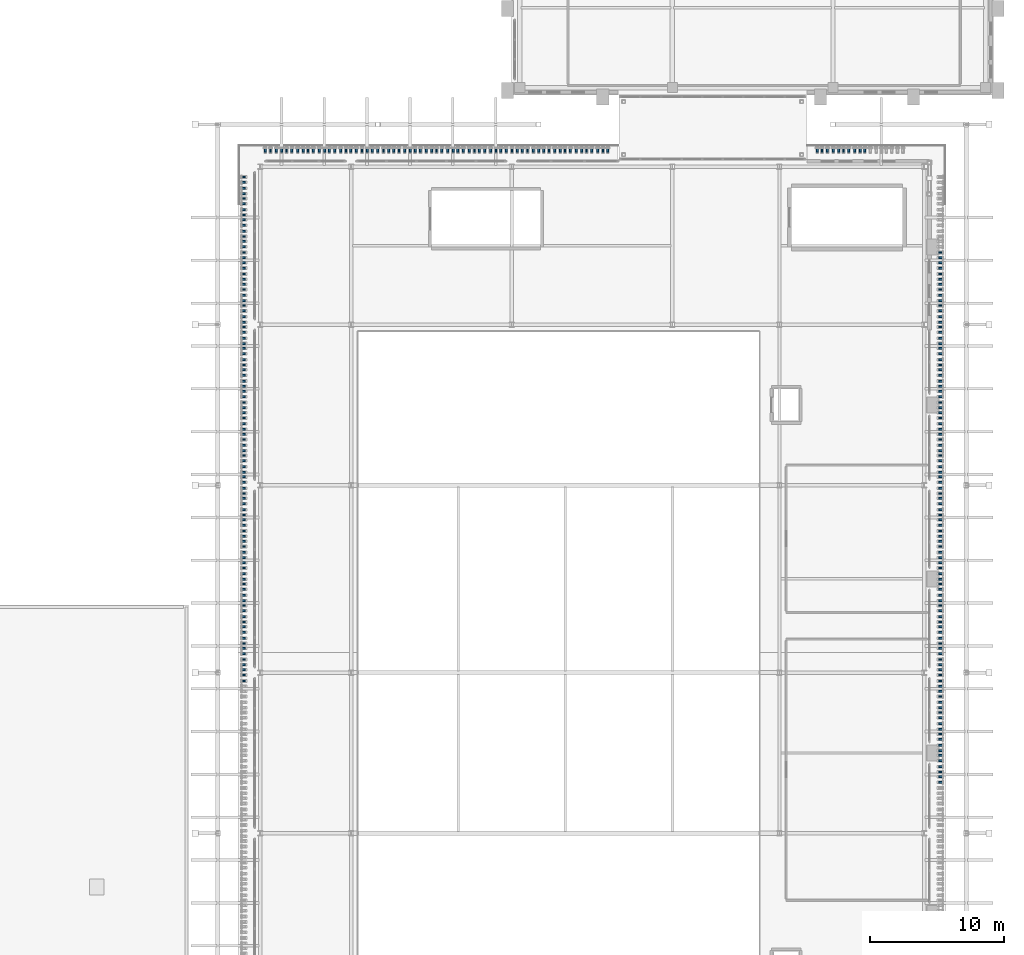
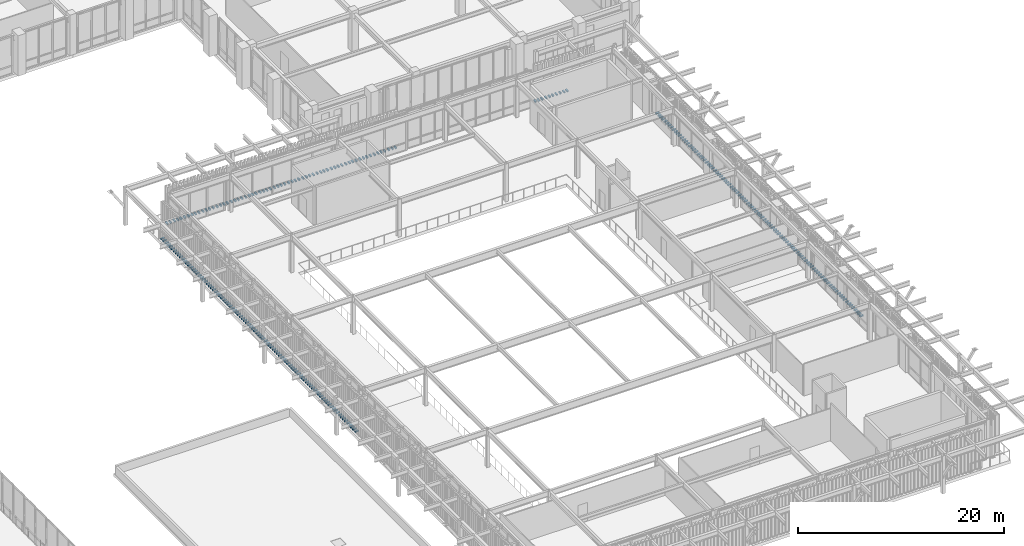
# One storey, part 107 of 126: 270 discrete accessories.
"""IFC4 building model written with IfcOpenShell, lengths in metres."""

from ifc_helpers import new_model, si_unit, derived_unit, direction, frame, origin, origin_2d, place, context, subcontext, project, spatial, rectangle, extrude, material, layer, layer_set, type_object, element, save


model = new_model("IFC4")

# Units and contexts
model_context = context("Model", 3, precision=1e-05, world=origin(), true_north=direction((0.0, 1.0)))
body_context = subcontext(model_context, "Body", "Model", "MODEL_VIEW")
ifc_project = project(units=[si_unit("LENGTHUNIT", "METRE"), si_unit("AREAUNIT", "SQUARE_METRE"), si_unit("VOLUMEUNIT", "CUBIC_METRE"), si_unit("PLANEANGLEUNIT", "RADIAN"), si_unit("MASSUNIT", "GRAM", prefix="KILO"), derived_unit("THERMALTRANSMITTANCEUNIT", [(si_unit("MASSUNIT", "GRAM", prefix="KILO"), 1), (si_unit("TIMEUNIT", "SECOND"), -3), (si_unit("THERMODYNAMICTEMPERATUREUNIT", "KELVIN"), -1)])], contexts=[model_context])

# Site, building, storey
site_placement = place(None, origin())
site = spatial("IfcSite", under=ifc_project, at=site_placement, CompositionType="ELEMENT")
building_placement = place(site_placement, origin())
building = spatial("IfcBuilding", under=site, at=building_placement, Name="Valcora Ridge Arena", CompositionType="ELEMENT")
storey_placement = place(building_placement, frame((0.0, 0.0, 11.39990234375)))
storey = spatial("IfcBuildingStorey", under=building, at=storey_placement, Name="L02", CompositionType="ELEMENT", Elevation=11.39990234375)

# Discrete accessories
ifc_material = material(Name="Austenitic stainless steel Grade 316 fixing bracket", Category="steel")
ifc_layer = layer(ifc_material, 0.139892578125, Name="Austenitic stainless steel Grade 316 fixing bracket")
ifc_layer_set = layer_set([ifc_layer], Name="Austenitic stainless steel Grade 316 fixing bracket")
discrete_accessory_type = type_object("IfcDiscreteAccessoryType", Name="TY-DISCRETEACCESSORY-BRK-FIN-SS", PredefinedType="BRACKET", material=ifc_layer_set)
for number, where, z_axis, x_axis, name in (
    (1, (188.070068359375, 31.820068359375, 0.0), (0.0, 0.0, 1.0), (1.0, 0.0, 0.0), "BRK-FIN-SS ACC-BK-0134"),
    (2, (188.070068359375, 32.219970703125, 0.0), (0.0, 0.0, 1.0), (1.0, 0.0, 0.0), "BRK-FIN-SS ACC-BK-0136"),
    (3, (188.070068359375, 32.580078125, 0.0), (0.0, 0.0, 1.0), (1.0, 0.0, 0.0), "BRK-FIN-SS ACC-BK-0138"),
    (4, (188.070068359375, 32.97998046875, 0.0), (0.0, 0.0, 1.0), (1.0, 0.0, 0.0), "BRK-FIN-SS ACC-BK-0140"),
    (5, (188.070068359375, 33.419921875, 0.0), (0.0, 0.0, 1.0), (1.0, 0.0, 0.0), "BRK-FIN-SS ACC-BK-0142"),
    (6, (188.070068359375, 33.820068359375, 0.0), (0.0, 0.0, 1.0), (1.0, 0.0, 0.0), "BRK-FIN-SS ACC-BK-0144"),
    (7, (188.070068359375, 34.179931640625, 0.0), (0.0, 0.0, 1.0), (1.0, 0.0, 0.0), "BRK-FIN-SS ACC-BK-0146"),
    (8, (188.070068359375, 34.580078125, 0.0), (0.0, 0.0, 1.0), (1.0, 0.0, 0.0), "BRK-FIN-SS ACC-BK-0148"),
    (9, (188.070068359375, 35.02001953125, 0.0), (0.0, 0.0, 1.0), (1.0, 0.0, 0.0), "BRK-FIN-SS ACC-BK-0150"),
    (10, (188.070068359375, 35.419921875, 0.0), (0.0, 0.0, 1.0), (1.0, 0.0, 0.0), "BRK-FIN-SS ACC-BK-0152"),
    (11, (188.070068359375, 35.780029296875, 0.0), (0.0, 0.0, 1.0), (1.0, 0.0, 0.0), "BRK-FIN-SS ACC-BK-0154"),
    (12, (188.070068359375, 36.179931640625, 0.0), (0.0, 0.0, 1.0), (1.0, 0.0, 0.0), "BRK-FIN-SS ACC-BK-0156"),
    (13, (188.070068359375, 36.6201171875, 0.0), (0.0, 0.0, 1.0), (1.0, 0.0, 0.0), "BRK-FIN-SS ACC-BK-0158"),
    (14, (188.070068359375, 37.02001953125, 0.0), (0.0, 0.0, 1.0), (1.0, 0.0, 0.0), "BRK-FIN-SS ACC-BK-0160"),
    (15, (188.070068359375, 37.3798828125, 0.0), (0.0, 0.0, 1.0), (1.0, 0.0, 0.0), "BRK-FIN-SS ACC-BK-0162"),
    (16, (188.070068359375, 37.780029296875, 0.0), (0.0, 0.0, 1.0), (1.0, 0.0, 0.0), "BRK-FIN-SS ACC-BK-0164"),
    (17, (188.070068359375, 38.219970703125, 0.0), (0.0, 0.0, 1.0), (1.0, 0.0, 0.0), "BRK-FIN-SS ACC-BK-0166"),
    (18, (188.070068359375, 38.6201171875, 0.0), (0.0, 0.0, 1.0), (1.0, 0.0, 0.0), "BRK-FIN-SS ACC-BK-0168"),
    (19, (188.070068359375, 38.97998046875, 0.0), (0.0, 0.0, 1.0), (1.0, 0.0, 0.0), "BRK-FIN-SS ACC-BK-0170"),
    (20, (135.929931640625, 39.3798828125, 0.0), (0.0, 0.0, 1.0), (1.0, 0.0, 0.0), "BRK-FIN-SS ACC-BK-0171"),
    (21, (188.070068359375, 39.3798828125, 0.0), (0.0, 0.0, 1.0), (1.0, 0.0, 0.0), "BRK-FIN-SS ACC-BK-0172"),
    (22, (135.929931640625, 39.820068359375, 0.0), (0.0, 0.0, 1.0), (1.0, 0.0, 0.0), "BRK-FIN-SS ACC-BK-0173"),
    (23, (188.070068359375, 39.820068359375, 0.0), (0.0, 0.0, 1.0), (1.0, 0.0, 0.0), "BRK-FIN-SS ACC-BK-0174"),
    (24, (135.929931640625, 40.219970703125, 0.0), (0.0, 0.0, 1.0), (1.0, 0.0, 0.0), "BRK-FIN-SS ACC-BK-0175"),
    (25, (188.070068359375, 40.219970703125, 0.0), (0.0, 0.0, 1.0), (1.0, 0.0, 0.0), "BRK-FIN-SS ACC-BK-0176"),
    (26, (135.929931640625, 40.580078125, 0.0), (0.0, 0.0, 1.0), (1.0, 0.0, 0.0), "BRK-FIN-SS ACC-BK-0177"),
    (27, (188.070068359375, 40.580078125, 0.0), (0.0, 0.0, 1.0), (1.0, 0.0, 0.0), "BRK-FIN-SS ACC-BK-0178"),
    (28, (135.929931640625, 40.97998046875, 0.0), (0.0, 0.0, 1.0), (1.0, 0.0, 0.0), "BRK-FIN-SS ACC-BK-0179"),
    (29, (188.070068359375, 40.97998046875, 0.0), (0.0, 0.0, 1.0), (1.0, 0.0, 0.0), "BRK-FIN-SS ACC-BK-0180"),
    (30, (135.929931640625, 41.419921875, 0.0), (0.0, 0.0, 1.0), (1.0, 0.0, 0.0), "BRK-FIN-SS ACC-BK-0181"),
    (31, (188.070068359375, 41.419921875, 0.0), (0.0, 0.0, 1.0), (1.0, 0.0, 0.0), "BRK-FIN-SS ACC-BK-0182"),
    (32, (135.929931640625, 41.820068359375, 0.0), (0.0, 0.0, 1.0), (1.0, 0.0, 0.0), "BRK-FIN-SS ACC-BK-0183"),
    (33, (188.070068359375, 41.820068359375, 0.0), (0.0, 0.0, 1.0), (1.0, 0.0, 0.0), "BRK-FIN-SS ACC-BK-0184"),
    (34, (135.929931640625, 42.179931640625, 0.0), (0.0, 0.0, 1.0), (1.0, 0.0, 0.0), "BRK-FIN-SS ACC-BK-0185"),
    (35, (188.070068359375, 42.179931640625, 0.0), (0.0, 0.0, 1.0), (1.0, 0.0, 0.0), "BRK-FIN-SS ACC-BK-0186"),
    (36, (135.929931640625, 42.580078125, 0.0), (0.0, 0.0, 1.0), (1.0, 0.0, 0.0), "BRK-FIN-SS ACC-BK-0187"),
    (37, (188.070068359375, 42.580078125, 0.0), (0.0, 0.0, 1.0), (1.0, 0.0, 0.0), "BRK-FIN-SS ACC-BK-0188"),
    (38, (135.929931640625, 43.02001953125, 0.0), (0.0, 0.0, 1.0), (1.0, 0.0, 0.0), "BRK-FIN-SS ACC-BK-0189"),
    (39, (188.070068359375, 43.02001953125, 0.0), (0.0, 0.0, 1.0), (1.0, 0.0, 0.0), "BRK-FIN-SS ACC-BK-0190"),
    (40, (135.929931640625, 43.419921875, 0.0), (0.0, 0.0, 1.0), (1.0, 0.0, 0.0), "BRK-FIN-SS ACC-BK-0191"),
    (41, (188.070068359375, 43.419921875, 0.0), (0.0, 0.0, 1.0), (1.0, 0.0, 0.0), "BRK-FIN-SS ACC-BK-0192"),
    (42, (135.929931640625, 43.780029296875, 0.0), (0.0, 0.0, 1.0), (1.0, 0.0, 0.0), "BRK-FIN-SS ACC-BK-0193"),
    (43, (188.070068359375, 43.780029296875, 0.0), (0.0, 0.0, 1.0), (1.0, 0.0, 0.0), "BRK-FIN-SS ACC-BK-0194"),
    (44, (135.929931640625, 44.179931640625, 0.0), (0.0, 0.0, 1.0), (1.0, 0.0, 0.0), "BRK-FIN-SS ACC-BK-0195"),
    (45, (188.070068359375, 44.179931640625, 0.0), (0.0, 0.0, 1.0), (1.0, 0.0, 0.0), "BRK-FIN-SS ACC-BK-0196"),
    (46, (135.929931640625, 44.6201171875, 0.0), (0.0, 0.0, 1.0), (1.0, 0.0, 0.0), "BRK-FIN-SS ACC-BK-0197"),
    (47, (188.070068359375, 44.6201171875, 0.0), (0.0, 0.0, 1.0), (1.0, 0.0, 0.0), "BRK-FIN-SS ACC-BK-0198"),
    (48, (135.929931640625, 45.02001953125, 0.0), (0.0, 0.0, 1.0), (1.0, 0.0, 0.0), "BRK-FIN-SS ACC-BK-0199"),
    (49, (188.070068359375, 45.02001953125, 0.0), (0.0, 0.0, 1.0), (1.0, 0.0, 0.0), "BRK-FIN-SS ACC-BK-0200"),
    (50, (135.929931640625, 45.3798828125, 0.0), (0.0, 0.0, 1.0), (1.0, 0.0, 0.0), "BRK-FIN-SS ACC-BK-0201"),
    (51, (188.070068359375, 45.3798828125, 0.0), (0.0, 0.0, 1.0), (1.0, 0.0, 0.0), "BRK-FIN-SS ACC-BK-0202"),
    (52, (135.929931640625, 45.780029296875, 0.0), (0.0, 0.0, 1.0), (1.0, 0.0, 0.0), "BRK-FIN-SS ACC-BK-0203"),
    (53, (188.070068359375, 45.780029296875, 0.0), (0.0, 0.0, 1.0), (1.0, 0.0, 0.0), "BRK-FIN-SS ACC-BK-0204"),
    (54, (135.929931640625, 46.219970703125, 0.0), (0.0, 0.0, 1.0), (1.0, 0.0, 0.0), "BRK-FIN-SS ACC-BK-0205"),
    (55, (188.070068359375, 46.219970703125, 0.0), (0.0, 0.0, 1.0), (1.0, 0.0, 0.0), "BRK-FIN-SS ACC-BK-0206"),
    (56, (135.929931640625, 46.6201171875, 0.0), (0.0, 0.0, 1.0), (1.0, 0.0, 0.0), "BRK-FIN-SS ACC-BK-0207"),
    (57, (188.070068359375, 46.6201171875, 0.0), (0.0, 0.0, 1.0), (1.0, 0.0, 0.0), "BRK-FIN-SS ACC-BK-0208"),
    (58, (135.929931640625, 46.97998046875, 0.0), (0.0, 0.0, 1.0), (1.0, 0.0, 0.0), "BRK-FIN-SS ACC-BK-0209"),
    (59, (188.070068359375, 46.97998046875, 0.0), (0.0, 0.0, 1.0), (1.0, 0.0, 0.0), "BRK-FIN-SS ACC-BK-0210"),
    (60, (135.929931640625, 47.3798828125, 0.0), (0.0, 0.0, 1.0), (1.0, 0.0, 0.0), "BRK-FIN-SS ACC-BK-0211"),
    (61, (188.070068359375, 47.3798828125, 0.0), (0.0, 0.0, 1.0), (1.0, 0.0, 0.0), "BRK-FIN-SS ACC-BK-0212"),
    (62, (135.929931640625, 47.820068359375, 0.0), (0.0, 0.0, 1.0), (1.0, 0.0, 0.0), "BRK-FIN-SS ACC-BK-0213"),
    (63, (188.070068359375, 47.820068359375, 0.0), (0.0, 0.0, 1.0), (1.0, 0.0, 0.0), "BRK-FIN-SS ACC-BK-0214"),
    (64, (135.929931640625, 48.219970703125, 0.0), (0.0, 0.0, 1.0), (1.0, 0.0, 0.0), "BRK-FIN-SS ACC-BK-0215"),
    (65, (188.070068359375, 48.219970703125, 0.0), (0.0, 0.0, 1.0), (1.0, 0.0, 0.0), "BRK-FIN-SS ACC-BK-0216"),
    (66, (135.929931640625, 48.580078125, 0.0), (0.0, 0.0, 1.0), (1.0, 0.0, 0.0), "BRK-FIN-SS ACC-BK-0217"),
    (67, (188.070068359375, 48.580078125, 0.0), (0.0, 0.0, 1.0), (1.0, 0.0, 0.0), "BRK-FIN-SS ACC-BK-0218"),
    (68, (135.929931640625, 48.97998046875, 0.0), (0.0, 0.0, 1.0), (1.0, 0.0, 0.0), "BRK-FIN-SS ACC-BK-0219"),
    (69, (188.070068359375, 48.97998046875, 0.0), (0.0, 0.0, 1.0), (1.0, 0.0, 0.0), "BRK-FIN-SS ACC-BK-0220"),
    (70, (135.929931640625, 49.419921875, 0.0), (0.0, 0.0, 1.0), (1.0, 0.0, 0.0), "BRK-FIN-SS ACC-BK-0221"),
    (71, (188.070068359375, 49.419921875, 0.0), (0.0, 0.0, 1.0), (1.0, 0.0, 0.0), "BRK-FIN-SS ACC-BK-0222"),
    (72, (135.929931640625, 49.820068359375, 0.0), (0.0, 0.0, 1.0), (1.0, 0.0, 0.0), "BRK-FIN-SS ACC-BK-0223"),
    (73, (188.070068359375, 49.820068359375, 0.0), (0.0, 0.0, 1.0), (1.0, 0.0, 0.0), "BRK-FIN-SS ACC-BK-0224"),
    (74, (135.929931640625, 50.179931640625, 0.0), (0.0, 0.0, 1.0), (1.0, 0.0, 0.0), "BRK-FIN-SS ACC-BK-0225"),
    (75, (188.070068359375, 50.179931640625, 0.0), (0.0, 0.0, 1.0), (1.0, 0.0, 0.0), "BRK-FIN-SS ACC-BK-0226"),
    (76, (135.929931640625, 50.580078125, 0.0), (0.0, 0.0, 1.0), (1.0, 0.0, 0.0), "BRK-FIN-SS ACC-BK-0227"),
    (77, (188.070068359375, 50.580078125, 0.0), (0.0, 0.0, 1.0), (1.0, 0.0, 0.0), "BRK-FIN-SS ACC-BK-0228"),
    (78, (135.929931640625, 51.02001953125, 0.0), (0.0, 0.0, 1.0), (1.0, 0.0, 0.0), "BRK-FIN-SS ACC-BK-0229"),
    (79, (188.070068359375, 51.02001953125, 0.0), (0.0, 0.0, 1.0), (1.0, 0.0, 0.0), "BRK-FIN-SS ACC-BK-0230"),
    (80, (135.929931640625, 51.419921875, 0.0), (0.0, 0.0, 1.0), (1.0, 0.0, 0.0), "BRK-FIN-SS ACC-BK-0231"),
    (81, (188.070068359375, 51.419921875, 0.0), (0.0, 0.0, 1.0), (1.0, 0.0, 0.0), "BRK-FIN-SS ACC-BK-0232"),
    (82, (135.929931640625, 51.780029296875, 0.0), (0.0, 0.0, 1.0), (1.0, 0.0, 0.0), "BRK-FIN-SS ACC-BK-0233"),
    (83, (188.070068359375, 51.780029296875, 0.0), (0.0, 0.0, 1.0), (1.0, 0.0, 0.0), "BRK-FIN-SS ACC-BK-0234"),
    (84, (135.929931640625, 52.179931640625, 0.0), (0.0, 0.0, 1.0), (1.0, 0.0, 0.0), "BRK-FIN-SS ACC-BK-0235"),
    (85, (188.070068359375, 52.179931640625, 0.0), (0.0, 0.0, 1.0), (1.0, 0.0, 0.0), "BRK-FIN-SS ACC-BK-0236"),
    (86, (135.929931640625, 52.6201171875, 0.0), (0.0, 0.0, 1.0), (1.0, 0.0, 0.0), "BRK-FIN-SS ACC-BK-0237"),
    (87, (188.070068359375, 52.6201171875, 0.0), (0.0, 0.0, 1.0), (1.0, 0.0, 0.0), "BRK-FIN-SS ACC-BK-0238"),
    (88, (135.929931640625, 53.02001953125, 0.0), (0.0, 0.0, 1.0), (1.0, 0.0, 0.0), "BRK-FIN-SS ACC-BK-0239"),
    (89, (188.070068359375, 53.02001953125, 0.0), (0.0, 0.0, 1.0), (1.0, 0.0, 0.0), "BRK-FIN-SS ACC-BK-0240"),
    (90, (135.929931640625, 53.3798828125, 0.0), (0.0, 0.0, 1.0), (1.0, 0.0, 0.0), "BRK-FIN-SS ACC-BK-0241"),
    (91, (188.070068359375, 53.3798828125, 0.0), (0.0, 0.0, 1.0), (1.0, 0.0, 0.0), "BRK-FIN-SS ACC-BK-0242"),
    (92, (135.929931640625, 53.780029296875, 0.0), (0.0, 0.0, 1.0), (1.0, 0.0, 0.0), "BRK-FIN-SS ACC-BK-0243"),
    (93, (188.070068359375, 53.780029296875, 0.0), (0.0, 0.0, 1.0), (1.0, 0.0, 0.0), "BRK-FIN-SS ACC-BK-0244"),
    (94, (135.929931640625, 54.219970703125, 0.0), (0.0, 0.0, 1.0), (1.0, 0.0, 0.0), "BRK-FIN-SS ACC-BK-0245"),
    (95, (188.070068359375, 54.219970703125, 0.0), (0.0, 0.0, 1.0), (1.0, 0.0, 0.0), "BRK-FIN-SS ACC-BK-0246"),
    (96, (135.929931640625, 54.6201171875, 0.0), (0.0, 0.0, 1.0), (1.0, 0.0, 0.0), "BRK-FIN-SS ACC-BK-0247"),
    (97, (188.070068359375, 54.6201171875, 0.0), (0.0, 0.0, 1.0), (1.0, 0.0, 0.0), "BRK-FIN-SS ACC-BK-0248"),
    (98, (135.929931640625, 54.97998046875, 0.0), (0.0, 0.0, 1.0), (1.0, 0.0, 0.0), "BRK-FIN-SS ACC-BK-0249"),
    (99, (188.070068359375, 54.97998046875, 0.0), (0.0, 0.0, 1.0), (1.0, 0.0, 0.0), "BRK-FIN-SS ACC-BK-0250"),
    (100, (135.929931640625, 55.3798828125, 0.0), (0.0, 0.0, 1.0), (1.0, 0.0, 0.0), "BRK-FIN-SS ACC-BK-0251"),
    (101, (188.070068359375, 55.3798828125, 0.0), (0.0, 0.0, 1.0), (1.0, 0.0, 0.0), "BRK-FIN-SS ACC-BK-0252"),
    (102, (135.929931640625, 55.820068359375, 0.0), (0.0, 0.0, 1.0), (1.0, 0.0, 0.0), "BRK-FIN-SS ACC-BK-0253"),
    (103, (188.070068359375, 55.820068359375, 0.0), (0.0, 0.0, 1.0), (1.0, 0.0, 0.0), "BRK-FIN-SS ACC-BK-0254"),
    (104, (135.929931640625, 56.219970703125, 0.0), (0.0, 0.0, 1.0), (1.0, 0.0, 0.0), "BRK-FIN-SS ACC-BK-0255"),
    (105, (188.070068359375, 56.219970703125, 0.0), (0.0, 0.0, 1.0), (1.0, 0.0, 0.0), "BRK-FIN-SS ACC-BK-0256"),
    (106, (135.929931640625, 56.580078125, 0.0), (0.0, 0.0, 1.0), (1.0, 0.0, 0.0), "BRK-FIN-SS ACC-BK-0257"),
    (107, (188.070068359375, 56.580078125, 0.0), (0.0, 0.0, 1.0), (1.0, 0.0, 0.0), "BRK-FIN-SS ACC-BK-0258"),
    (108, (135.929931640625, 56.97998046875, 0.0), (0.0, 0.0, 1.0), (1.0, 0.0, 0.0), "BRK-FIN-SS ACC-BK-0259"),
    (109, (188.070068359375, 56.97998046875, 0.0), (0.0, 0.0, 1.0), (1.0, 0.0, 0.0), "BRK-FIN-SS ACC-BK-0260"),
    (110, (135.929931640625, 57.419921875, 0.0), (0.0, 0.0, 1.0), (1.0, 0.0, 0.0), "BRK-FIN-SS ACC-BK-0261"),
    (111, (188.070068359375, 57.419921875, 0.0), (0.0, 0.0, 1.0), (1.0, 0.0, 0.0), "BRK-FIN-SS ACC-BK-0262"),
    (112, (135.929931640625, 57.820068359375, 0.0), (0.0, 0.0, 1.0), (1.0, 0.0, 0.0), "BRK-FIN-SS ACC-BK-0263"),
    (113, (188.070068359375, 57.820068359375, 0.0), (0.0, 0.0, 1.0), (1.0, 0.0, 0.0), "BRK-FIN-SS ACC-BK-0264"),
    (114, (135.929931640625, 58.179931640625, 0.0), (0.0, 0.0, 1.0), (1.0, 0.0, 0.0), "BRK-FIN-SS ACC-BK-0265"),
    (115, (188.070068359375, 58.179931640625, 0.0), (0.0, 0.0, 1.0), (1.0, 0.0, 0.0), "BRK-FIN-SS ACC-BK-0266"),
    (116, (135.929931640625, 58.580078125, 0.0), (0.0, 0.0, 1.0), (1.0, 0.0, 0.0), "BRK-FIN-SS ACC-BK-0267"),
    (117, (188.070068359375, 58.580078125, 0.0), (0.0, 0.0, 1.0), (1.0, 0.0, 0.0), "BRK-FIN-SS ACC-BK-0268"),
    (118, (135.929931640625, 59.02001953125, 0.0), (0.0, 0.0, 1.0), (1.0, 0.0, 0.0), "BRK-FIN-SS ACC-BK-0269"),
    (119, (188.070068359375, 59.02001953125, 0.0), (0.0, 0.0, 1.0), (1.0, 0.0, 0.0), "BRK-FIN-SS ACC-BK-0270"),
    (120, (135.929931640625, 59.419921875, 0.0), (0.0, 0.0, 1.0), (1.0, 0.0, 0.0), "BRK-FIN-SS ACC-BK-0271"),
    (121, (188.070068359375, 59.419921875, 0.0), (0.0, 0.0, 1.0), (1.0, 0.0, 0.0), "BRK-FIN-SS ACC-BK-0272"),
    (122, (135.929931640625, 59.780029296875, 0.0), (0.0, 0.0, 1.0), (1.0, 0.0, 0.0), "BRK-FIN-SS ACC-BK-0273"),
    (123, (188.070068359375, 59.780029296875, 0.0), (0.0, 0.0, 1.0), (1.0, 0.0, 0.0), "BRK-FIN-SS ACC-BK-0274"),
    (124, (135.929931640625, 60.179931640625, 0.0), (0.0, 0.0, 1.0), (1.0, 0.0, 0.0), "BRK-FIN-SS ACC-BK-0275"),
    (125, (188.070068359375, 60.179931640625, 0.0), (0.0, 0.0, 1.0), (1.0, 0.0, 0.0), "BRK-FIN-SS ACC-BK-0276"),
    (126, (135.929931640625, 60.6201171875, 0.0), (0.0, 0.0, 1.0), (1.0, 0.0, 0.0), "BRK-FIN-SS ACC-BK-0277"),
    (127, (188.070068359375, 60.6201171875, 0.0), (0.0, 0.0, 1.0), (1.0, 0.0, 0.0), "BRK-FIN-SS ACC-BK-0278"),
    (128, (135.929931640625, 61.02001953125, 0.0), (0.0, 0.0, 1.0), (1.0, 0.0, 0.0), "BRK-FIN-SS ACC-BK-0279"),
    (129, (188.070068359375, 61.02001953125, 0.0), (0.0, 0.0, 1.0), (1.0, 0.0, 0.0), "BRK-FIN-SS ACC-BK-0280"),
    (130, (135.929931640625, 61.3798828125, 0.0), (0.0, 0.0, 1.0), (1.0, 0.0, 0.0), "BRK-FIN-SS ACC-BK-0281"),
    (131, (188.070068359375, 61.3798828125, 0.0), (0.0, 0.0, 1.0), (1.0, 0.0, 0.0), "BRK-FIN-SS ACC-BK-0282"),
    (132, (135.929931640625, 61.780029296875, 0.0), (0.0, 0.0, 1.0), (1.0, 0.0, 0.0), "BRK-FIN-SS ACC-BK-0283"),
    (133, (188.070068359375, 61.780029296875, 0.0), (0.0, 0.0, 1.0), (1.0, 0.0, 0.0), "BRK-FIN-SS ACC-BK-0284"),
    (134, (135.929931640625, 62.219970703125, 0.0), (0.0, 0.0, 1.0), (1.0, 0.0, 0.0), "BRK-FIN-SS ACC-BK-0285"),
    (135, (188.070068359375, 62.219970703125, 0.0), (0.0, 0.0, 1.0), (1.0, 0.0, 0.0), "BRK-FIN-SS ACC-BK-0286"),
    (136, (135.929931640625, 62.6201171875, 0.0), (0.0, 0.0, 1.0), (1.0, 0.0, 0.0), "BRK-FIN-SS ACC-BK-0287"),
    (137, (188.070068359375, 62.6201171875, 0.0), (0.0, 0.0, 1.0), (1.0, 0.0, 0.0), "BRK-FIN-SS ACC-BK-0288"),
    (138, (135.929931640625, 62.97998046875, 0.0), (0.0, 0.0, 1.0), (1.0, 0.0, 0.0), "BRK-FIN-SS ACC-BK-0289"),
    (139, (188.070068359375, 62.97998046875, 0.0), (0.0, 0.0, 1.0), (1.0, 0.0, 0.0), "BRK-FIN-SS ACC-BK-0290"),
    (140, (135.929931640625, 63.3798828125, 0.0), (0.0, 0.0, 1.0), (1.0, 0.0, 0.0), "BRK-FIN-SS ACC-BK-0291"),
    (141, (188.070068359375, 63.3798828125, 0.0), (0.0, 0.0, 1.0), (1.0, 0.0, 0.0), "BRK-FIN-SS ACC-BK-0292"),
    (142, (135.929931640625, 63.820068359375, 0.0), (0.0, 0.0, 1.0), (1.0, 0.0, 0.0), "BRK-FIN-SS ACC-BK-0293"),
    (143, (188.070068359375, 63.820068359375, 0.0), (0.0, 0.0, 1.0), (1.0, 0.0, 0.0), "BRK-FIN-SS ACC-BK-0294"),
    (144, (135.929931640625, 64.219970703125, 0.0), (0.0, 0.0, 1.0), (1.0, 0.0, 0.0), "BRK-FIN-SS ACC-BK-0295"),
    (145, (188.070068359375, 64.219970703125, 0.0), (0.0, 0.0, 1.0), (1.0, 0.0, 0.0), "BRK-FIN-SS ACC-BK-0296"),
    (146, (135.929931640625, 64.580078125, 0.0), (0.0, 0.0, 1.0), (1.0, 0.0, 0.0), "BRK-FIN-SS ACC-BK-0297"),
    (147, (188.070068359375, 64.580078125, 0.0), (0.0, 0.0, 1.0), (1.0, 0.0, 0.0), "BRK-FIN-SS ACC-BK-0298"),
    (148, (135.929931640625, 64.97998046875, 0.0), (0.0, 0.0, 1.0), (1.0, 0.0, 0.0), "BRK-FIN-SS ACC-BK-0299"),
    (149, (188.070068359375, 64.97998046875, 0.0), (0.0, 0.0, 1.0), (1.0, 0.0, 0.0), "BRK-FIN-SS ACC-BK-0300"),
    (150, (135.929931640625, 65.419921875, 0.0), (0.0, 0.0, 1.0), (1.0, 0.0, 0.0), "BRK-FIN-SS ACC-BK-0301"),
    (151, (188.070068359375, 65.419921875, 0.0), (0.0, 0.0, 1.0), (1.0, 0.0, 0.0), "BRK-FIN-SS ACC-BK-0302"),
    (152, (135.929931640625, 65.820068359375, 0.0), (0.0, 0.0, 1.0), (1.0, 0.0, 0.0), "BRK-FIN-SS ACC-BK-0303"),
    (153, (188.070068359375, 65.820068359375, 0.0), (0.0, 0.0, 1.0), (1.0, 0.0, 0.0), "BRK-FIN-SS ACC-BK-0304"),
    (154, (135.929931640625, 66.179931640625, 0.0), (0.0, 0.0, 1.0), (1.0, 0.0, 0.0), "BRK-FIN-SS ACC-BK-0305"),
    (155, (188.070068359375, 66.179931640625, 0.0), (0.0, 0.0, 1.0), (1.0, 0.0, 0.0), "BRK-FIN-SS ACC-BK-0306"),
    (156, (135.929931640625, 66.580078125, 0.0), (0.0, 0.0, 1.0), (1.0, 0.0, 0.0), "BRK-FIN-SS ACC-BK-0307"),
    (157, (188.070068359375, 66.580078125, 0.0), (0.0, 0.0, 1.0), (1.0, 0.0, 0.0), "BRK-FIN-SS ACC-BK-0308"),
    (158, (135.929931640625, 67.02001953125, 0.0), (0.0, 0.0, 1.0), (1.0, 0.0, 0.0), "BRK-FIN-SS ACC-BK-0309"),
    (159, (188.070068359375, 67.02001953125, 0.0), (0.0, 0.0, 1.0), (1.0, 0.0, 0.0), "BRK-FIN-SS ACC-BK-0310"),
    (160, (135.929931640625, 67.419921875, 0.0), (0.0, 0.0, 1.0), (1.0, 0.0, 0.0), "BRK-FIN-SS ACC-BK-0311"),
    (161, (188.070068359375, 67.419921875, 0.0), (0.0, 0.0, 1.0), (1.0, 0.0, 0.0), "BRK-FIN-SS ACC-BK-0312"),
    (162, (135.929931640625, 67.780029296875, 0.0), (0.0, 0.0, 1.0), (1.0, 0.0, 0.0), "BRK-FIN-SS ACC-BK-0313"),
    (163, (188.070068359375, 67.780029296875, 0.0), (0.0, 0.0, 1.0), (1.0, 0.0, 0.0), "BRK-FIN-SS ACC-BK-0314"),
    (164, (135.929931640625, 68.179931640625, 0.0), (0.0, 0.0, 1.0), (1.0, 0.0, 0.0), "BRK-FIN-SS ACC-BK-0315"),
    (165, (188.070068359375, 68.179931640625, 0.0), (0.0, 0.0, 1.0), (1.0, 0.0, 0.0), "BRK-FIN-SS ACC-BK-0316"),
    (166, (135.929931640625, 68.6201171875, 0.0), (0.0, 0.0, 1.0), (1.0, 0.0, 0.0), "BRK-FIN-SS ACC-BK-0317"),
    (167, (188.070068359375, 68.6201171875, 0.0), (0.0, 0.0, 1.0), (1.0, 0.0, 0.0), "BRK-FIN-SS ACC-BK-0318"),
    (168, (135.929931640625, 69.02001953125, 0.0), (0.0, 0.0, 1.0), (1.0, 0.0, 0.0), "BRK-FIN-SS ACC-BK-0319"),
    (169, (188.070068359375, 69.02001953125, 0.0), (0.0, 0.0, 1.0), (1.0, 0.0, 0.0), "BRK-FIN-SS ACC-BK-0320"),
    (170, (135.929931640625, 69.3798828125, 0.0), (0.0, 0.0, 1.0), (1.0, 0.0, 0.0), "BRK-FIN-SS ACC-BK-0321"),
    (171, (188.070068359375, 69.3798828125, 0.0), (0.0, 0.0, 1.0), (1.0, 0.0, 0.0), "BRK-FIN-SS ACC-BK-0322"),
    (172, (135.929931640625, 69.780029296875, 0.0), (0.0, 0.0, 1.0), (1.0, 0.0, 0.0), "BRK-FIN-SS ACC-BK-0323"),
    (173, (188.070068359375, 69.780029296875, 0.0), (0.0, 0.0, 1.0), (1.0, 0.0, 0.0), "BRK-FIN-SS ACC-BK-0324"),
    (174, (135.929931640625, 70.219970703125, 0.0), (0.0, 0.0, 1.0), (1.0, 0.0, 0.0), "BRK-FIN-SS ACC-BK-0325"),
    (175, (188.070068359375, 70.219970703125, 0.0), (0.0, 0.0, 1.0), (1.0, 0.0, 0.0), "BRK-FIN-SS ACC-BK-0326"),
    (176, (135.929931640625, 70.6201171875, 0.0), (0.0, 0.0, 1.0), (1.0, 0.0, 0.0), "BRK-FIN-SS ACC-BK-0327"),
    (177, (188.070068359375, 70.6201171875, 0.0), (0.0, 0.0, 1.0), (1.0, 0.0, 0.0), "BRK-FIN-SS ACC-BK-0328"),
    (178, (135.929931640625, 70.97998046875, 0.0), (0.0, 0.0, 1.0), (1.0, 0.0, 0.0), "BRK-FIN-SS ACC-BK-0329"),
    (179, (188.070068359375, 70.97998046875, 0.0), (0.0, 0.0, 1.0), (1.0, 0.0, 0.0), "BRK-FIN-SS ACC-BK-0330"),
    (180, (135.929931640625, 71.3798828125, 0.0), (0.0, 0.0, 1.0), (1.0, 0.0, 0.0), "BRK-FIN-SS ACC-BK-0331"),
    (181, (188.070068359375, 71.3798828125, 0.0), (0.0, 0.0, 1.0), (1.0, 0.0, 0.0), "BRK-FIN-SS ACC-BK-0332"),
    (182, (135.929931640625, 71.820068359375, 0.0), (0.0, 0.0, 1.0), (1.0, 0.0, 0.0), "BRK-FIN-SS ACC-BK-0333"),
    (183, (135.929931640625, 72.219970703125, 0.0), (0.0, 0.0, 1.0), (1.0, 0.0, 0.0), "BRK-FIN-SS ACC-BK-0335"),
    (184, (135.929931640625, 72.580078125, 0.0), (0.0, 0.0, 1.0), (1.0, 0.0, 0.0), "BRK-FIN-SS ACC-BK-0337"),
    (185, (135.929931640625, 72.97998046875, 0.0), (0.0, 0.0, 1.0), (1.0, 0.0, 0.0), "BRK-FIN-SS ACC-BK-0339"),
    (186, (135.929931640625, 73.419921875, 0.0), (0.0, 0.0, 1.0), (1.0, 0.0, 0.0), "BRK-FIN-SS ACC-BK-0341"),
    (187, (135.929931640625, 73.820068359375, 0.0), (0.0, 0.0, 1.0), (1.0, 0.0, 0.0), "BRK-FIN-SS ACC-BK-0343"),
    (188, (135.929931640625, 74.179931640625, 0.0), (0.0, 0.0, 1.0), (1.0, 0.0, 0.0), "BRK-FIN-SS ACC-BK-0345"),
    (189, (135.929931640625, 74.580078125, 0.0), (0.0, 0.0, 1.0), (1.0, 0.0, 0.0), "BRK-FIN-SS ACC-BK-0347"),
    (190, (135.929931640625, 75.02001953125, 0.0), (0.0, 0.0, 1.0), (1.0, 0.0, 0.0), "BRK-FIN-SS ACC-BK-0349"),
    (191, (135.929931640625, 75.419921875, 0.0), (0.0, 0.0, 1.0), (1.0, 0.0, 0.0), "BRK-FIN-SS ACC-BK-0351"),
    (192, (135.929931640625, 75.780029296875, 0.0), (0.0, 0.0, 1.0), (1.0, 0.0, 0.0), "BRK-FIN-SS ACC-BK-0353"),
    (193, (135.929931640625, 76.179931640625, 0.0), (0.0, 0.0, 1.0), (1.0, 0.0, 0.0), "BRK-FIN-SS ACC-BK-0355"),
    (194, (135.929931640625, 76.6201171875, 0.0), (0.0, 0.0, 1.0), (1.0, 0.0, 0.0), "BRK-FIN-SS ACC-BK-0357"),
    (195, (135.929931640625, 77.02001953125, 0.0), (0.0, 0.0, 1.0), (1.0, 0.0, 0.0), "BRK-FIN-SS ACC-BK-0359"),
    (196, (137.580078125, 79.070068359375, 0.0), (0.0, 0.0, 1.0), (0.0, 1.0, 0.0), "BRK-FIN-SS ACC-BK-0362"),
    (197, (137.97998046875, 79.070068359375, 0.0), (0.0, 0.0, 1.0), (0.0, 1.0, 0.0), "BRK-FIN-SS ACC-BK-0364"),
    (198, (138.419921875, 79.070068359375, 0.0), (0.0, 0.0, 1.0), (0.0, 1.0, 0.0), "BRK-FIN-SS ACC-BK-0366"),
    (199, (138.820068359375, 79.070068359375, 0.0), (0.0, 0.0, 1.0), (0.0, 1.0, 0.0), "BRK-FIN-SS ACC-BK-0368"),
    (200, (139.179931640625, 79.070068359375, 0.0), (0.0, 0.0, 1.0), (0.0, 1.0, 0.0), "BRK-FIN-SS ACC-BK-0370"),
    (201, (139.580078125, 79.070068359375, 0.0), (0.0, 0.0, 1.0), (0.0, 1.0, 0.0), "BRK-FIN-SS ACC-BK-0372"),
    (202, (140.02001953125, 79.070068359375, 0.0), (0.0, 0.0, 1.0), (0.0, 1.0, 0.0), "BRK-FIN-SS ACC-BK-0374"),
    (203, (140.419921875, 79.070068359375, 0.0), (0.0, 0.0, 1.0), (0.0, 1.0, 0.0), "BRK-FIN-SS ACC-BK-0376"),
    (204, (140.780029296875, 79.070068359375, 0.0), (0.0, 0.0, 1.0), (0.0, 1.0, 0.0), "BRK-FIN-SS ACC-BK-0378"),
    (205, (141.179931640625, 79.070068359375, 0.0), (0.0, 0.0, 1.0), (0.0, 1.0, 0.0), "BRK-FIN-SS ACC-BK-0380"),
    (206, (141.6201171875, 79.070068359375, 0.0), (0.0, 0.0, 1.0), (0.0, 1.0, 0.0), "BRK-FIN-SS ACC-BK-0382"),
    (207, (142.02001953125, 79.070068359375, 0.0), (0.0, 0.0, 1.0), (0.0, 1.0, 0.0), "BRK-FIN-SS ACC-BK-0384"),
    (208, (142.3798828125, 79.070068359375, 0.0), (0.0, 0.0, 1.0), (0.0, 1.0, 0.0), "BRK-FIN-SS ACC-BK-0386"),
    (209, (142.780029296875, 79.070068359375, 0.0), (0.0, 0.0, 1.0), (0.0, 1.0, 0.0), "BRK-FIN-SS ACC-BK-0388"),
    (210, (143.219970703125, 79.070068359375, 0.0), (0.0, 0.0, 1.0), (0.0, 1.0, 0.0), "BRK-FIN-SS ACC-BK-0390"),
    (211, (143.6201171875, 79.070068359375, 0.0), (0.0, 0.0, 1.0), (0.0, 1.0, 0.0), "BRK-FIN-SS ACC-BK-0392"),
    (212, (143.97998046875, 79.070068359375, 0.0), (0.0, 0.0, 1.0), (0.0, 1.0, 0.0), "BRK-FIN-SS ACC-BK-0394"),
    (213, (144.3798828125, 79.070068359375, 0.0), (0.0, 0.0, 1.0), (0.0, 1.0, 0.0), "BRK-FIN-SS ACC-BK-0396"),
    (214, (144.820068359375, 79.070068359375, 0.0), (0.0, 0.0, 1.0), (0.0, 1.0, 0.0), "BRK-FIN-SS ACC-BK-0398"),
    (215, (145.219970703125, 79.070068359375, 0.0), (0.0, 0.0, 1.0), (0.0, 1.0, 0.0), "BRK-FIN-SS ACC-BK-0400"),
    (216, (145.580078125, 79.070068359375, 0.0), (0.0, 0.0, 1.0), (0.0, 1.0, 0.0), "BRK-FIN-SS ACC-BK-0402"),
    (217, (145.97998046875, 79.070068359375, 0.0), (0.0, 0.0, 1.0), (0.0, 1.0, 0.0), "BRK-FIN-SS ACC-BK-0404"),
    (218, (146.419921875, 79.070068359375, 0.0), (0.0, 0.0, 1.0), (0.0, 1.0, 0.0), "BRK-FIN-SS ACC-BK-0406"),
    (219, (146.820068359375, 79.070068359375, 0.0), (0.0, 0.0, 1.0), (0.0, 1.0, 0.0), "BRK-FIN-SS ACC-BK-0408"),
    (220, (147.179931640625, 79.070068359375, 0.0), (0.0, 0.0, 1.0), (0.0, 1.0, 0.0), "BRK-FIN-SS ACC-BK-0410"),
    (221, (147.580078125, 79.070068359375, 0.0), (0.0, 0.0, 1.0), (0.0, 1.0, 0.0), "BRK-FIN-SS ACC-BK-0412"),
    (222, (148.02001953125, 79.070068359375, 0.0), (0.0, 0.0, 1.0), (0.0, 1.0, 0.0), "BRK-FIN-SS ACC-BK-0414"),
    (223, (148.419921875, 79.070068359375, 0.0), (0.0, 0.0, 1.0), (0.0, 1.0, 0.0), "BRK-FIN-SS ACC-BK-0416"),
    (224, (148.780029296875, 79.070068359375, 0.0), (0.0, 0.0, 1.0), (0.0, 1.0, 0.0), "BRK-FIN-SS ACC-BK-0418"),
    (225, (149.179931640625, 79.070068359375, 0.0), (0.0, 0.0, 1.0), (0.0, 1.0, 0.0), "BRK-FIN-SS ACC-BK-0420"),
    (226, (149.6201171875, 79.070068359375, 0.0), (0.0, 0.0, 1.0), (0.0, 1.0, 0.0), "BRK-FIN-SS ACC-BK-0422"),
    (227, (150.02001953125, 79.070068359375, 0.0), (0.0, 0.0, 1.0), (0.0, 1.0, 0.0), "BRK-FIN-SS ACC-BK-0424"),
    (228, (150.3798828125, 79.070068359375, 0.0), (0.0, 0.0, 1.0), (0.0, 1.0, 0.0), "BRK-FIN-SS ACC-BK-0426"),
    (229, (150.780029296875, 79.070068359375, 0.0), (0.0, 0.0, 1.0), (0.0, 1.0, 0.0), "BRK-FIN-SS ACC-BK-0428"),
    (230, (151.219970703125, 79.070068359375, 0.0), (0.0, 0.0, 1.0), (0.0, 1.0, 0.0), "BRK-FIN-SS ACC-BK-0430"),
    (231, (151.6201171875, 79.070068359375, 0.0), (0.0, 0.0, 1.0), (0.0, 1.0, 0.0), "BRK-FIN-SS ACC-BK-0432"),
    (232, (151.97998046875, 79.070068359375, 0.0), (0.0, 0.0, 1.0), (0.0, 1.0, 0.0), "BRK-FIN-SS ACC-BK-0434"),
    (233, (152.3798828125, 79.070068359375, 0.0), (0.0, 0.0, 1.0), (0.0, 1.0, 0.0), "BRK-FIN-SS ACC-BK-0436"),
    (234, (152.820068359375, 79.070068359375, 0.0), (0.0, 0.0, 1.0), (0.0, 1.0, 0.0), "BRK-FIN-SS ACC-BK-0438"),
    (235, (153.219970703125, 79.070068359375, 0.0), (0.0, 0.0, 1.0), (0.0, 1.0, 0.0), "BRK-FIN-SS ACC-BK-0440"),
    (236, (153.580078125, 79.070068359375, 0.0), (0.0, 0.0, 1.0), (0.0, 1.0, 0.0), "BRK-FIN-SS ACC-BK-0442"),
    (237, (153.97998046875, 79.070068359375, 0.0), (0.0, 0.0, 1.0), (0.0, 1.0, 0.0), "BRK-FIN-SS ACC-BK-0444"),
    (238, (154.419921875, 79.070068359375, 0.0), (0.0, 0.0, 1.0), (0.0, 1.0, 0.0), "BRK-FIN-SS ACC-BK-0446"),
    (239, (154.820068359375, 79.070068359375, 0.0), (0.0, 0.0, 1.0), (0.0, 1.0, 0.0), "BRK-FIN-SS ACC-BK-0448"),
    (240, (155.179931640625, 79.070068359375, 0.0), (0.0, 0.0, 1.0), (0.0, 1.0, 0.0), "BRK-FIN-SS ACC-BK-0450"),
    (241, (155.580078125, 79.070068359375, 0.0), (0.0, 0.0, 1.0), (0.0, 1.0, 0.0), "BRK-FIN-SS ACC-BK-0452"),
    (242, (156.02001953125, 79.070068359375, 0.0), (0.0, 0.0, 1.0), (0.0, 1.0, 0.0), "BRK-FIN-SS ACC-BK-0454"),
    (243, (156.419921875, 79.070068359375, 0.0), (0.0, 0.0, 1.0), (0.0, 1.0, 0.0), "BRK-FIN-SS ACC-BK-0456"),
    (244, (156.780029296875, 79.070068359375, 0.0), (0.0, 0.0, 1.0), (0.0, 1.0, 0.0), "BRK-FIN-SS ACC-BK-0458"),
    (245, (157.179931640625, 79.070068359375, 0.0), (0.0, 0.0, 1.0), (0.0, 1.0, 0.0), "BRK-FIN-SS ACC-BK-0460"),
    (246, (157.6201171875, 79.070068359375, 0.0), (0.0, 0.0, 1.0), (0.0, 1.0, 0.0), "BRK-FIN-SS ACC-BK-0462"),
    (247, (158.02001953125, 79.070068359375, 0.0), (0.0, 0.0, 1.0), (0.0, 1.0, 0.0), "BRK-FIN-SS ACC-BK-0464"),
    (248, (158.3798828125, 79.070068359375, 0.0), (0.0, 0.0, 1.0), (0.0, 1.0, 0.0), "BRK-FIN-SS ACC-BK-0466"),
    (249, (158.780029296875, 79.070068359375, 0.0), (0.0, 0.0, 1.0), (0.0, 1.0, 0.0), "BRK-FIN-SS ACC-BK-0468"),
    (250, (159.219970703125, 79.070068359375, 0.0), (0.0, 0.0, 1.0), (0.0, 1.0, 0.0), "BRK-FIN-SS ACC-BK-0470"),
    (251, (159.6201171875, 79.070068359375, 0.0), (0.0, 0.0, 1.0), (0.0, 1.0, 0.0), "BRK-FIN-SS ACC-BK-0472"),
    (252, (159.97998046875, 79.070068359375, 0.0), (0.0, 0.0, 1.0), (0.0, 1.0, 0.0), "BRK-FIN-SS ACC-BK-0474"),
    (253, (160.3798828125, 79.070068359375, 0.0), (0.0, 0.0, 1.0), (0.0, 1.0, 0.0), "BRK-FIN-SS ACC-BK-0476"),
    (254, (160.820068359375, 79.070068359375, 0.0), (0.0, 0.0, 1.0), (0.0, 1.0, 0.0), "BRK-FIN-SS ACC-BK-0478"),
    (255, (161.219970703125, 79.070068359375, 0.0), (0.0, 0.0, 1.0), (0.0, 1.0, 0.0), "BRK-FIN-SS ACC-BK-0480"),
    (256, (161.580078125, 79.070068359375, 0.0), (0.0, 0.0, 1.0), (0.0, 1.0, 0.0), "BRK-FIN-SS ACC-BK-0482"),
    (257, (161.97998046875, 79.070068359375, 0.0), (0.0, 0.0, 1.0), (0.0, 1.0, 0.0), "BRK-FIN-SS ACC-BK-0484"),
    (258, (162.419921875, 79.070068359375, 0.0), (0.0, 0.0, 1.0), (0.0, 1.0, 0.0), "BRK-FIN-SS ACC-BK-0486"),
    (259, (162.820068359375, 79.070068359375, 0.0), (0.0, 0.0, 1.0), (0.0, 1.0, 0.0), "BRK-FIN-SS ACC-BK-0488"),
    (260, (163.179931640625, 79.070068359375, 0.0), (0.0, 0.0, 1.0), (0.0, 1.0, 0.0), "BRK-FIN-SS ACC-BK-0490"),
    (261, (178.820068359375, 79.070068359375, 0.0), (0.0, 0.0, 1.0), (0.0, 1.0, 0.0), "BRK-FIN-SS ACC-BK-0530"),
    (262, (179.179931640625, 79.070068359375, 0.0), (0.0, 0.0, 1.0), (0.0, 1.0, 0.0), "BRK-FIN-SS ACC-BK-0532"),
    (263, (179.580078125, 79.070068359375, 0.0), (0.0, 0.0, 1.0), (0.0, 1.0, 0.0), "BRK-FIN-SS ACC-BK-0534"),
    (264, (180.02001953125, 79.070068359375, 0.0), (0.0, 0.0, 1.0), (0.0, 1.0, 0.0), "BRK-FIN-SS ACC-BK-0536"),
    (265, (180.419921875, 79.070068359375, 0.0), (0.0, 0.0, 1.0), (0.0, 1.0, 0.0), "BRK-FIN-SS ACC-BK-0538"),
    (266, (180.780029296875, 79.070068359375, 0.0), (0.0, 0.0, 1.0), (0.0, 1.0, 0.0), "BRK-FIN-SS ACC-BK-0540"),
    (267, (181.179931640625, 79.070068359375, 0.0), (0.0, 0.0, 1.0), (0.0, 1.0, 0.0), "BRK-FIN-SS ACC-BK-0542"),
    (268, (181.6201171875, 79.070068359375, 0.0), (0.0, 0.0, 1.0), (0.0, 1.0, 0.0), "BRK-FIN-SS ACC-BK-0544"),
    (269, (182.02001953125, 79.070068359375, 0.0), (0.0, 0.0, 1.0), (0.0, 1.0, 0.0), "BRK-FIN-SS ACC-BK-0546"),
    (270, (182.3798828125, 79.070068359375, 0.0), (0.0, 0.0, 1.0), (0.0, 1.0, 0.0), "BRK-FIN-SS ACC-BK-0548"),
):
    element("IfcDiscreteAccessory", number, at=place(storey_placement, frame(where, z_axis=z_axis, x_axis=x_axis)), inside=storey, type_object=discrete_accessory_type, Name=name, PredefinedType="BRACKET", context=body_context, shape_type="SweptSolid", body=[
        extrude(rectangle(XDim=0.360107421875, YDim=0.139892578125, at=origin_2d()), origin(), (0.0, 0.0, 1.0), 0.139892578125),
    ])

save(model, "model.ifc")
